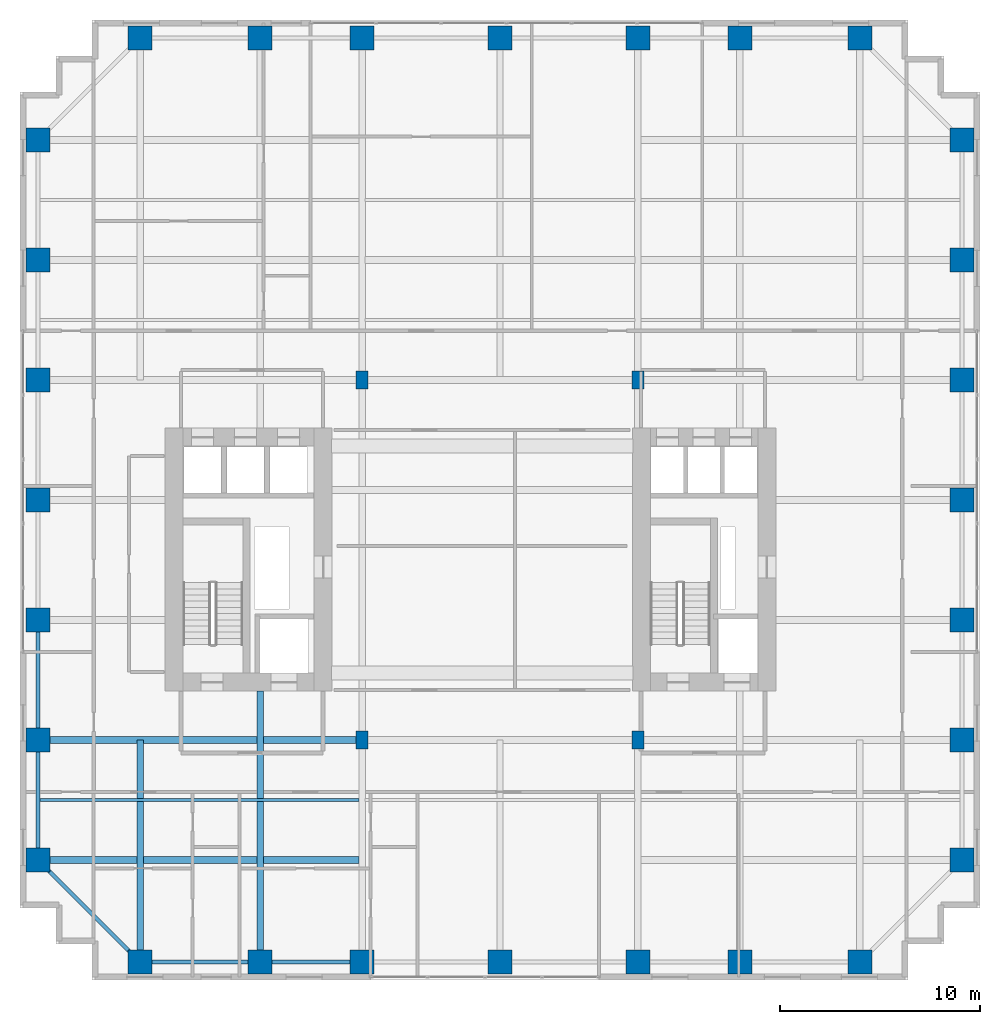
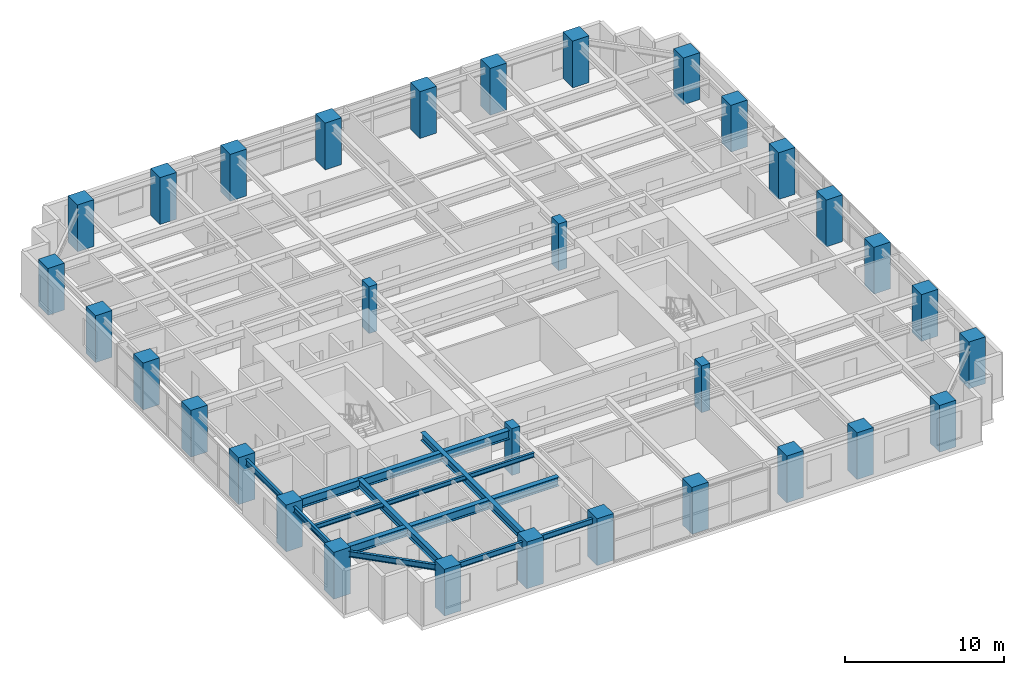
# One storey, part 1 of 24: 32 columns, 10 beams.
"""IFC4 building model written with IfcOpenShell, lengths in metres."""

from ifc_helpers import new_model, si_unit, direction, frame, origin, origin_2d, place, context, subcontext, project, spatial, rectangle, i_section, extrude, source, transform, mapped, material, material_profile, profile_set, type_object, element, save


model = new_model("IFC4")

# Units and contexts
model_context = context("Model", 3, precision=1e-05, world=origin(), true_north=direction((0.0, 1.0)))
body_context = subcontext(model_context, "Body", "Model", "MODEL_VIEW")
ifc_project = project(units=[si_unit("LENGTHUNIT", "METRE"), si_unit("AREAUNIT", "SQUARE_METRE"), si_unit("VOLUMEUNIT", "CUBIC_METRE"), si_unit("PLANEANGLEUNIT", "RADIAN"), si_unit("MASSUNIT", "GRAM", prefix="KILO")], contexts=[model_context])

# Site, building, storey
site_placement = place(None, origin())
site = spatial("IfcSite", under=ifc_project, at=site_placement, CompositionType="ELEMENT")
building_placement = place(site_placement, origin())
building = spatial("IfcBuilding", under=site, at=building_placement, Name="Khoralis Quay Care Tower", CompositionType="ELEMENT")
storey_placement = place(building_placement, frame((0.0, 0.0, 62.10009765625)))
storey = spatial("IfcBuildingStorey", under=building, at=storey_placement, Name="L16", CompositionType="ELEMENT", Elevation=62.10009765625)

# Columns
ifc_material_1 = material(Name="Concrete C80/95", Category="concrete")
ifc_material_profile_1 = material_profile(ifc_material_1, rectangle(XDim=1.199951171875, YDim=1.199951171875, at=origin_2d()), Name="Concrete C80/95")
ifc_profile_set_1 = profile_set([ifc_material_profile_1], Name="Concrete C80/95")
column_type_1 = type_object("IfcColumnType", Name="COL-C1200", PredefinedType="COLUMN", material=ifc_profile_set_1)
shared_shape_1 = source(origin(), body_context, "Body", "SweptSolid", [
    extrude(rectangle(XDim=1.199951171875, YDim=1.199951171875, at=origin_2d()), origin(), (0.0, 0.0, 1.0), 3.599853515625),
])
for number, where, z_axis, x_axis, name in (
    (1, (6.0, 0.89990234375, 0.0), (0.0, 0.0, 1.0), (1.0, 0.0, 0.0), "COL-TWR-L16-01"),
    (2, (6.0, 47.10009765625, 0.0), (0.0, 0.0, 1.0), (1.0, 0.0, 0.0), "COL-TWR-L16-02"),
    (3, (12.0, 0.89990234375, 0.0), (0.0, 0.0, 1.0), (1.0, 0.0, 0.0), "COL-TWR-L16-03"),
    (4, (12.0, 47.10009765625, 0.0), (0.0, 0.0, 1.0), (1.0, 0.0, 0.0), "COL-TWR-L16-04"),
    (5, (17.10009765625, 0.89990234375, 0.0), (0.0, 0.0, 1.0), (1.0, 0.0, 0.0), "COL-TWR-L16-05"),
    (6, (17.10009765625, 47.10009765625, 0.0), (0.0, 0.0, 1.0), (1.0, 0.0, 0.0), "COL-TWR-L16-06"),
    (7, (24.0, 0.89990234375, 0.0), (0.0, 0.0, 1.0), (1.0, 0.0, 0.0), "COL-TWR-L16-07"),
    (8, (24.0, 47.10009765625, 0.0), (0.0, 0.0, 1.0), (1.0, 0.0, 0.0), "COL-TWR-L16-08"),
    (9, (30.89990234375, 0.89990234375, 0.0), (0.0, 0.0, 1.0), (1.0, 0.0, 0.0), "COL-TWR-L16-09"),
    (10, (30.89990234375, 47.10009765625, 0.0), (0.0, 0.0, 1.0), (1.0, 0.0, 0.0), "COL-TWR-L16-10"),
    (11, (36.0, 0.89990234375, 0.0), (0.0, 0.0, 1.0), (1.0, 0.0, 0.0), "COL-TWR-L16-11"),
    (12, (36.0, 47.10009765625, 0.0), (0.0, 0.0, 1.0), (1.0, 0.0, 0.0), "COL-TWR-L16-12"),
    (13, (42.0, 0.89990234375, 0.0), (0.0, 0.0, 1.0), (1.0, 0.0, 0.0), "COL-TWR-L16-13"),
    (14, (42.0, 47.10009765625, 0.0), (0.0, 0.0, 1.0), (1.0, 0.0, 0.0), "COL-TWR-L16-14"),
    (15, (0.89990234375, 6.0, 0.0), (0.0, 0.0, 1.0), (1.0, 0.0, 0.0), "COL-TWR-L16-15"),
    (16, (47.10009765625, 6.0, 0.0), (0.0, 0.0, 1.0), (1.0, 0.0, 0.0), "COL-TWR-L16-16"),
    (17, (0.89990234375, 12.0, 0.0), (0.0, 0.0, 1.0), (1.0, 0.0, 0.0), "COL-TWR-L16-17"),
    (18, (47.10009765625, 12.0, 0.0), (0.0, 0.0, 1.0), (1.0, 0.0, 0.0), "COL-TWR-L16-18"),
    (19, (0.89990234375, 18.0, 0.0), (0.0, 0.0, 1.0), (1.0, 0.0, 0.0), "COL-TWR-L16-19"),
    (20, (47.10009765625, 18.0, 0.0), (0.0, 0.0, 1.0), (1.0, 0.0, 0.0), "COL-TWR-L16-20"),
    (21, (0.89990234375, 24.0, 0.0), (0.0, 0.0, 1.0), (1.0, 0.0, 0.0), "COL-TWR-L16-21"),
    (22, (47.10009765625, 24.0, 0.0), (0.0, 0.0, 1.0), (1.0, 0.0, 0.0), "COL-TWR-L16-22"),
    (23, (0.89990234375, 30.0, 0.0), (0.0, 0.0, 1.0), (1.0, 0.0, 0.0), "COL-TWR-L16-23"),
    (24, (47.10009765625, 30.0, 0.0), (0.0, 0.0, 1.0), (1.0, 0.0, 0.0), "COL-TWR-L16-24"),
    (25, (0.89990234375, 36.0, 0.0), (0.0, 0.0, 1.0), (1.0, 0.0, 0.0), "COL-TWR-L16-25"),
    (26, (47.10009765625, 36.0, 0.0), (0.0, 0.0, 1.0), (1.0, 0.0, 0.0), "COL-TWR-L16-26"),
    (27, (0.89990234375, 42.0, 0.0), (0.0, 0.0, 1.0), (1.0, 0.0, 0.0), "COL-TWR-L16-27"),
    (28, (47.10009765625, 42.0, 0.0), (0.0, 0.0, 1.0), (1.0, 0.0, 0.0), "COL-TWR-L16-28"),
):
    element("IfcColumn", number, at=place(storey_placement, frame(where, z_axis=z_axis, x_axis=x_axis)), inside=storey, type_object=column_type_1, Name=name, PredefinedType="COLUMN", context=body_context, shape_type="MappedRepresentation", body=[
        mapped(shared_shape_1, transform((0.0, 0.0, 0.0), scale=1.0)),
    ])
ifc_material_2 = material(Name="Concrete C65/80", Category="concrete")
ifc_material_profile_2 = material_profile(ifc_material_2, rectangle(XDim=0.60009765625, YDim=0.89990234375, at=origin_2d()), Name="Concrete C65/80")
ifc_profile_set_2 = profile_set([ifc_material_profile_2], Name="Concrete C65/80")
column_type_2 = type_object("IfcColumnType", Name="COL-C600X900", PredefinedType="COLUMN", material=ifc_profile_set_2)
shared_shape_2 = source(origin(), body_context, "Body", "SweptSolid", [
    extrude(rectangle(XDim=0.60009765625, YDim=0.89990234375, at=origin_2d()), origin(), (0.0, 0.0, 1.0), 3.599853515625),
])
for number, where, z_axis, x_axis, name in (
    (29, (17.10009765625, 12.0, 0.0), (0.0, 0.0, 1.0), (1.0, 0.0, 0.0), "COL-TWR-L16-29"),
    (30, (17.10009765625, 30.0, 0.0), (0.0, 0.0, 1.0), (1.0, 0.0, 0.0), "COL-TWR-L16-30"),
    (31, (30.89990234375, 12.0, 0.0), (0.0, 0.0, 1.0), (1.0, 0.0, 0.0), "COL-TWR-L16-31"),
    (32, (30.89990234375, 30.0, 0.0), (0.0, 0.0, 1.0), (1.0, 0.0, 0.0), "COL-TWR-L16-32"),
):
    element("IfcColumn", number, at=place(storey_placement, frame(where, z_axis=z_axis, x_axis=x_axis)), inside=storey, type_object=column_type_2, Name=name, PredefinedType="COLUMN", context=body_context, shape_type="MappedRepresentation", body=[
        mapped(shared_shape_2, transform((0.0, 0.0, 0.0), scale=1.0)),
    ])

# Beams
ifc_material_3 = material(Name="Steel S355", Category="steel")
ifc_material_profile_3 = material_profile(ifc_material_3, i_section(OverallWidth=0.18994140625, OverallDepth=0.449951171875, WebThickness=0.009521484375, FlangeThickness=0.0146484375, FilletRadius=0.02099609375, at=origin_2d()), Name="Steel S355")
ifc_profile_set_3 = profile_set([ifc_material_profile_3], Name="Steel S355")
beam_type_1 = type_object("IfcBeamType", Name="BM-IPE450", PredefinedType="SPANDREL", material=ifc_profile_set_3)
shared_shape_3 = source(origin(), body_context, "Body", "SweptSolid", [
    extrude(i_section(OverallWidth=0.18994140625, OverallDepth=0.449951171875, WebThickness=0.009521484375, FlangeThickness=0.0146484375, FilletRadius=0.02099609375, at=origin_2d()), origin(), (0.0, 0.0, 1.0), 6.0),
])
for number, where, z_axis, x_axis, name in (
    (33, (6.0, 0.89990234375, 3.094970703125), (1.0, 0.0, 0.0), (0.0, 1.0, 0.0), "BM-TSP-L16-01"),
    (34, (0.89990234375, 6.0, 3.094970703125), (0.0, 1.0, 0.0), (-1.0, 0.0, 0.0), "BM-TSP-L16-13"),
    (35, (0.89990234375, 12.0, 3.094970703125), (0.0, 1.0, 0.0), (-1.0, 0.0, 0.0), "BM-TSP-L16-14"),
):
    element("IfcBeam", number, at=place(storey_placement, frame(where, z_axis=z_axis, x_axis=x_axis)), inside=storey, type_object=beam_type_1, Name=name, PredefinedType="SPANDREL", context=body_context, shape_type="MappedRepresentation", body=[
        mapped(shared_shape_3, transform((0.0, 0.0, 0.0), scale=1.0)),
    ])
shared_shape_4 = source(origin(), body_context, "Body", "SweptSolid", [
    extrude(i_section(OverallWidth=0.18994140625, OverallDepth=0.449951171875, WebThickness=0.009521484375, FlangeThickness=0.0146484375, FilletRadius=0.02099609375, at=origin_2d()), origin(), (0.0, 0.0, 1.0), 5.10009765625),
])
beam_1_placement = place(storey_placement, frame((12.0, 0.89990234375, 3.094970703125), z_axis=(1.0, 0.0, 0.0), x_axis=(0.0, 1.0, 0.0)))
element("IfcBeam", 36, at=beam_1_placement, inside=storey, type_object=beam_type_1, Name="BM-TSP-L16-02", PredefinedType="SPANDREL", context=body_context, shape_type="MappedRepresentation", body=[
    mapped(shared_shape_4, transform((0.0, 0.0, 0.0), scale=1.0)),
])
shared_shape_5 = source(origin(), body_context, "Body", "SweptSolid", [
    extrude(i_section(OverallWidth=0.18994140625, OverallDepth=0.449951171875, WebThickness=0.009521484375, FlangeThickness=0.0146484375, FilletRadius=0.02099609375, at=origin_2d()), origin(), (0.0, 0.0, 1.0), 7.212646484375),
])
beam_2_placement = place(storey_placement, frame((6.0, 0.89990234375, 3.094970703125), z_axis=(-0.707106781187, 0.707106781187, 0.0), x_axis=(-0.707106781187, -0.707106781187, 0.0)))
element("IfcBeam", 37, at=beam_2_placement, inside=storey, type_object=beam_type_1, Name="BM-TCR-L16-25", PredefinedType="SPANDREL", context=body_context, shape_type="MappedRepresentation", body=[
    mapped(shared_shape_5, transform((0.0, 0.0, 0.0), scale=1.0)),
])
ifc_material_profile_4 = material_profile(ifc_material_3, i_section(OverallWidth=0.35498046875, OverallDepth=0.695068359375, WebThickness=0.015380859375, FlangeThickness=0.02490234375, FilletRadius=0.02001953125, at=origin_2d()), Name="Steel S355")
ifc_profile_set_4 = profile_set([ifc_material_profile_4], Name="Steel S355")
beam_type_2 = type_object("IfcBeamType", Name="BM-W690X217", PredefinedType="BEAM", material=ifc_profile_set_4)
shared_shape_6 = source(origin(), body_context, "Body", "SweptSolid", [
    extrude(i_section(OverallWidth=0.35498046875, OverallDepth=0.695068359375, WebThickness=0.015380859375, FlangeThickness=0.02490234375, FilletRadius=0.02001953125, at=origin_2d()), origin(), (0.0, 0.0, 1.0), 16.049560546875),
])
beam_3_placement = place(storey_placement, frame((0.89990234375, 6.0, 2.972412109375), z_axis=(1.0, 0.0, 0.0), x_axis=(0.0, 1.0, 0.0)))
element("IfcBeam", 38, at=beam_3_placement, inside=storey, type_object=beam_type_2, Name="BM-TGXW-L16-60", PredefinedType="BEAM", context=body_context, shape_type="MappedRepresentation", body=[
    mapped(shared_shape_6, transform((0.0, 0.0, 0.0), scale=1.0)),
])
shared_shape_7 = source(origin(), body_context, "Body", "SweptSolid", [
    extrude(i_section(OverallWidth=0.35498046875, OverallDepth=0.695068359375, WebThickness=0.015380859375, FlangeThickness=0.02490234375, FilletRadius=0.02001953125, at=origin_2d()), origin(), (0.0, 0.0, 1.0), 16.2001953125),
])
beam_4_placement = place(storey_placement, frame((0.89990234375, 12.0, 2.972412109375), z_axis=(1.0, 0.0, 0.0), x_axis=(0.0, 1.0, 0.0)))
element("IfcBeam", 39, at=beam_4_placement, inside=storey, type_object=beam_type_2, Name="BM-TGXW-L16-120", PredefinedType="BEAM", context=body_context, shape_type="MappedRepresentation", body=[
    mapped(shared_shape_7, transform((0.0, 0.0, 0.0), scale=1.0)),
])
ifc_material_profile_5 = material_profile(ifc_material_3, i_section(OverallWidth=0.324951171875, OverallDepth=0.615966796875, WebThickness=0.013916015625, FlangeThickness=0.021484375, FilletRadius=0.01806640625, at=origin_2d()), Name="Steel S355")
ifc_profile_set_5 = profile_set([ifc_material_profile_5], Name="Steel S355")
beam_type_3 = type_object("IfcBeamType", Name="BM-W610X174", PredefinedType="BEAM", material=ifc_profile_set_5)
shared_shape_8 = source(origin(), body_context, "Body", "SweptSolid", [
    extrude(i_section(OverallWidth=0.324951171875, OverallDepth=0.615966796875, WebThickness=0.013916015625, FlangeThickness=0.021484375, FilletRadius=0.01806640625, at=origin_2d()), origin(), (0.0, 0.0, 1.0), 11.10009765625),
])
beam_5_placement = place(storey_placement, frame((6.0, 0.89990234375, 3.011962890625), z_axis=(0.0, 1.0, 0.0), x_axis=(-1.0, 0.0, 0.0)))
element("IfcBeam", 40, at=beam_5_placement, inside=storey, type_object=beam_type_3, Name="BM-TGYS-L16-60", PredefinedType="BEAM", context=body_context, shape_type="MappedRepresentation", body=[
    mapped(shared_shape_8, transform((0.0, 0.0, 0.0), scale=1.0)),
])
shared_shape_9 = source(origin(), body_context, "Body", "SweptSolid", [
    extrude(i_section(OverallWidth=0.324951171875, OverallDepth=0.615966796875, WebThickness=0.013916015625, FlangeThickness=0.021484375, FilletRadius=0.01806640625, at=origin_2d()), origin(), (0.0, 0.0, 1.0), 13.552001953125),
])
beam_6_placement = place(storey_placement, frame((12.0, 0.89990234375, 3.011962890625), z_axis=(0.0, 1.0, 0.0), x_axis=(-1.0, 0.0, 0.0)))
element("IfcBeam", 41, at=beam_6_placement, inside=storey, type_object=beam_type_3, Name="BM-TGYS-L16-120", PredefinedType="BEAM", context=body_context, shape_type="MappedRepresentation", body=[
    mapped(shared_shape_9, transform((0.0, 0.0, 0.0), scale=1.0)),
])
ifc_material_profile_6 = material_profile(ifc_material_3, i_section(OverallWidth=0.1708984375, OverallDepth=0.35498046875, WebThickness=0.007080078125, FlangeThickness=0.01171875, FilletRadius=0.012939453125, at=origin_2d()), Name="Steel S355")
ifc_profile_set_6 = profile_set([ifc_material_profile_6], Name="Steel S355")
beam_type_4 = type_object("IfcBeamType", Name="BM-W360X51", PredefinedType="JOIST", material=ifc_profile_set_6)
shared_shape_10 = source(origin(), body_context, "Body", "SweptSolid", [
    extrude(i_section(OverallWidth=0.1708984375, OverallDepth=0.35498046875, WebThickness=0.007080078125, FlangeThickness=0.01171875, FilletRadius=0.012939453125, at=origin_2d()), origin(), (0.0, 0.0, 1.0), 15.968505859375),
])
beam_7_placement = place(storey_placement, frame((0.98095703125, 9.0, 3.142333984375), z_axis=(1.0, 0.0, 0.0), x_axis=(0.0, 1.0, 0.0)))
element("IfcBeam", 42, at=beam_7_placement, inside=storey, type_object=beam_type_4, Name="BM-TJS-L16-29", PredefinedType="JOIST", context=body_context, shape_type="MappedRepresentation", body=[
    mapped(shared_shape_10, transform((0.0, 0.0, 0.0), scale=1.0)),
])

save(model, "model.ifc")
